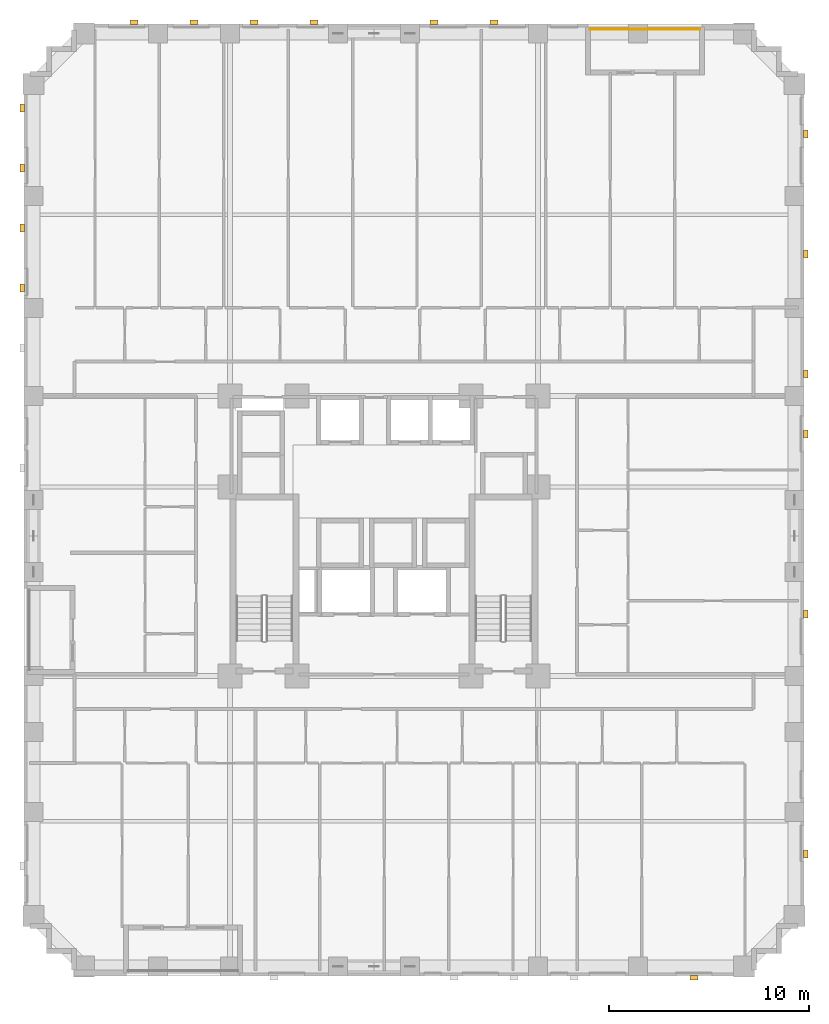
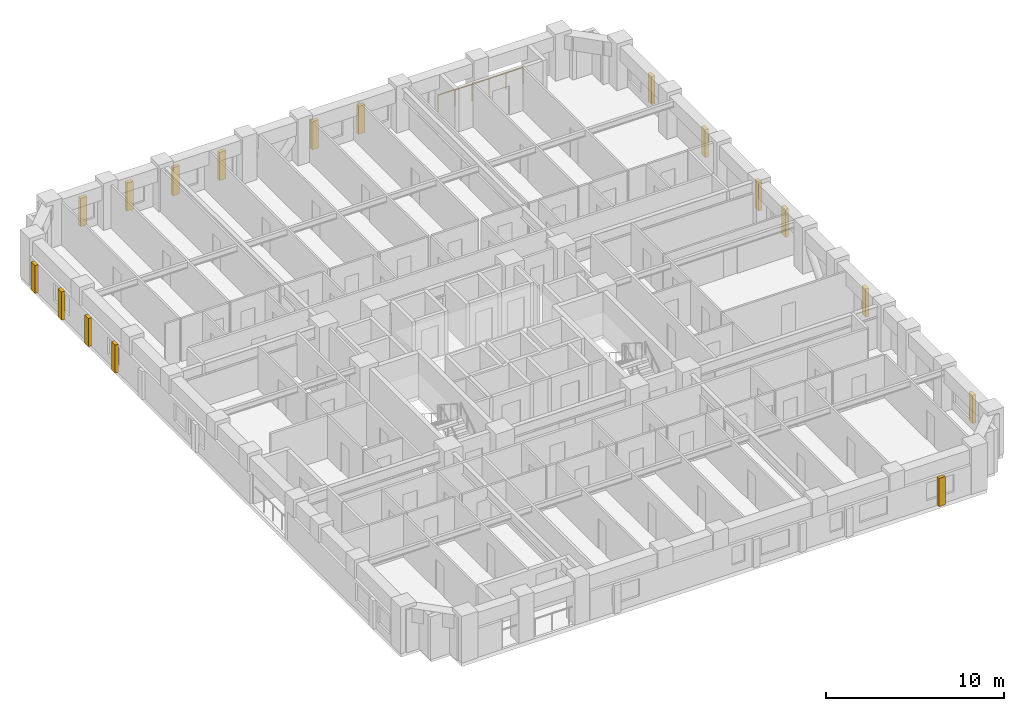
# One storey, part 14 of 14: 17 coverings, 1 railing.
"""IFC4 building model written with IfcOpenShell, lengths in metres."""

import ifcopenshell
import ifcopenshell.guid

model = None  # the IFC model being written
_history = None  # IfcOwnerHistory: only IFC2X3 demands one
_inside = {}  # id of a spatial element -> (the spatial element, [elements in it])
_under = {}  # id of a project, library or spatial element -> (it, [spatial elements below it])
_declared = {}  # id of a project -> (the project, [libraries it declares])
_typed = {}  # id of a type object -> (the type object, [elements of that type])
_made_of = {}  # id of a material, layer set ... -> (it, [elements and type objects made of it])


def new_model(schema):
    """Start an empty IFC model of exactly this schema.

    Asked for "IFC4X3", IfcOpenShell would pick the latest addendum, in which some entities
    have other attributes; the version numbers below select the first issue.
    IFC2X3 requires an IfcOwnerHistory on every rooted entity: one is made here for all.
    """
    global model, _history
    if schema == "IFC4X3":
        model = ifcopenshell.file(schema_version=(4, 3, 0, 0))
    else:
        model = ifcopenshell.file(schema=schema)
    _inside.clear()
    _under.clear()
    _declared.clear()
    _typed.clear()
    _made_of.clear()
    _history = None
    if model.schema == "IFC2X3":
        org = make("IfcOrganization", Name="unknown")
        user = make(
            "IfcPersonAndOrganization",
            ThePerson=make("IfcPerson", FamilyName="unknown"),
            TheOrganization=org,
        )
        app = make(
            "IfcApplication",
            ApplicationDeveloper=org,
            Version="unknown",
            ApplicationFullName="unknown",
            ApplicationIdentifier="unknown",
        )
        _history = make(
            "IfcOwnerHistory",
            OwningUser=user,
            OwningApplication=app,
            ChangeAction="ADDED",
            CreationDate=0,
        )
    return model


def make(cls, **values):
    """One entity of the class cls with the attributes given. An attribute that is None is left unset."""
    return model.create_entity(
        cls, **{name: value for name, value in values.items() if value is not None}
    )


def rooted(cls, **values):
    """An entity with a GlobalId (a new one), such as an element, a storey or a relation."""
    return make(cls, GlobalId=ifcopenshell.guid.new(), OwnerHistory=_history, **values)


def si_unit(unit_type, name, prefix=None):
    """IfcSIUnit, for example si_unit("LENGTHUNIT", "METRE", prefix="MILLI")."""
    return make("IfcSIUnit", UnitType=unit_type, Prefix=prefix, Name=name)


def derived_unit(unit_type, elements):
    """IfcDerivedUnit: a product of units, each with its exponent."""
    return make(
        "IfcDerivedUnit",
        Elements=[
            make("IfcDerivedUnitElement", Unit=unit, Exponent=power)
            for unit, power in elements
        ],
        UnitType=unit_type,
    )


def assignment(units):
    """IfcUnitAssignment: the units of a project."""
    return None if units is None else make("IfcUnitAssignment", Units=units)


def point(xyz):
    """IfcCartesianPoint."""
    return None if xyz is None else make("IfcCartesianPoint", Coordinates=xyz)


def direction(xyz):
    """IfcDirection."""
    return None if xyz is None else make("IfcDirection", DirectionRatios=xyz)


def frame(location, z_axis=None, x_axis=None):
    """IfcAxis2Placement3D, a coordinate frame: its origin and axes. An axis left out is left unset."""
    return make(
        "IfcAxis2Placement3D",
        Location=point(location),
        Axis=direction(z_axis),
        RefDirection=direction(x_axis),
    )


def frame_2d(location, x_axis=None):
    """IfcAxis2Placement2D, a coordinate frame in the plane: its origin and x axis."""
    return make(
        "IfcAxis2Placement2D", Location=point(location), RefDirection=direction(x_axis)
    )


def origin():
    """The frame at (0, 0, 0) with its axes left unset."""
    return frame((0.0, 0.0, 0.0))


def origin_2d():
    """The frame at (0, 0) in the plane with its x axis left unset."""
    return frame_2d((0.0, 0.0))


def place(relative_to, where):
    """IfcLocalPlacement: puts the frame where relative to a parent placement (None: the world)."""
    return make(
        "IfcLocalPlacement", PlacementRelTo=relative_to, RelativePlacement=where
    )


def context(
    kind, dimensions, precision=None, world=None, true_north=None, identifier=None
):
    """IfcGeometricRepresentationContext, for example the 3D "Model" context."""
    return make(
        "IfcGeometricRepresentationContext",
        ContextIdentifier=identifier,
        ContextType=kind,
        CoordinateSpaceDimension=dimensions,
        Precision=precision,
        WorldCoordinateSystem=world,
        TrueNorth=true_north,
    )


def subcontext(parent, identifier, kind, view, scale=None):
    """IfcGeometricRepresentationSubContext, for example "Body" below "Model"."""
    return make(
        "IfcGeometricRepresentationSubContext",
        ContextIdentifier=identifier,
        ContextType=kind,
        ParentContext=parent,
        TargetScale=scale,
        TargetView=view,
    )


def project(units=None, contexts=None):
    """IfcProject with its units and contexts."""
    return rooted(
        "IfcProject",
        Name="project",
        RepresentationContexts=contexts,
        UnitsInContext=assignment(units),
    )


def spatial(cls, under=None, at=None, **own):
    """A site, building, storey or space (cls), placed at a placement, below another one or the project."""
    s = rooted(cls, ObjectPlacement=at, **own)
    if under is not None:
        _under.setdefault(under.id(), (under, []))[1].append(s)
    return s


def profile(cls, at=None, kind="AREA", **sizes):
    """A parametric profile (cls). Its sizes go by their IFC names, for example OverallWidth=200.0."""
    return make(cls, ProfileType=kind, Position=at, **sizes)


def rectangle(**sizes):
    """IfcRectangleProfileDef."""
    return profile("IfcRectangleProfileDef", **sizes)


def circle(**sizes):
    """IfcCircleProfileDef."""
    return profile("IfcCircleProfileDef", **sizes)


def extrude(swept, where, along, depth):
    """IfcExtrudedAreaSolid: the profile swept, set in the frame where, extruded along a direction by depth."""
    return make(
        "IfcExtrudedAreaSolid",
        SweptArea=swept,
        Position=where,
        ExtrudedDirection=direction(along),
        Depth=depth,
    )


def shape(context_of_items, identifier, shape_type, items):
    """IfcShapeRepresentation: the items that make up one representation, for example the "Body"."""
    return make(
        "IfcShapeRepresentation",
        ContextOfItems=context_of_items,
        RepresentationIdentifier=identifier,
        RepresentationType=shape_type,
        Items=items,
    )


def material(Name=None, Category=None):
    """IfcMaterial."""
    return make("IfcMaterial", Name=Name, Category=Category)


def layer(
    of_material, thickness, ventilated=None, Name=None, Category=None, Priority=None
):
    """IfcMaterialLayer: one layer of a wall or slab, of a material (None: an air gap)."""
    return make(
        "IfcMaterialLayer",
        Material=of_material,
        LayerThickness=thickness,
        IsVentilated=ventilated,
        Name=Name,
        Category=Category,
        Priority=Priority,
    )


def layer_set(layers, Name=None):
    """IfcMaterialLayerSet."""
    return make("IfcMaterialLayerSet", MaterialLayers=layers, LayerSetName=Name)


def made_of(thing, what):
    """Note that an element or type object is made of a material, layer set ...; save() writes the relation."""
    if what is not None:
        _made_of.setdefault(what.id(), (what, []))[1].append(thing)
    return thing


def type_object(cls, material=None, **own):
    """A type object (cls), such as IfcWallType, which elements share."""
    return made_of(rooted(cls, **own), material)


def element(
    cls,
    number,
    at=None,
    inside=None,
    cuts=None,
    type_object=None,
    material=None,
    context=None,
    identifier="Body",
    shape_type=None,
    held_by="IfcProductDefinitionShape",
    body=None,
    shapes=None,
    **own,
):
    """One element of the class cls, such as IfcWall. Its Tag is "e" and its number.

    at: its placement. inside: the storey or other place that contains it. cuts: it is an
    opening in that element (IfcRelVoidsElement). A single representation is given by context,
    identifier, shape_type and body (its items); several are given by shapes. held_by: the class
    of the entity that holds the representations. save() writes the other relations.
    """
    e = rooted(cls, Tag="e%d" % number, ObjectPlacement=at, **own)
    if body is not None:
        shapes = [shape(context, identifier, shape_type, body)]
    if shapes is not None:
        e.Representation = make(held_by, Representations=shapes)
    if inside is not None:
        _inside.setdefault(inside.id(), (inside, []))[1].append(e)
    if cuts is not None:
        rooted(
            "IfcRelVoidsElement", RelatingBuildingElement=cuts, RelatedOpeningElement=e
        )
    if type_object is not None:
        _typed.setdefault(type_object.id(), (type_object, []))[1].append(e)
    return made_of(e, material)


def aggregate(whole, parts):
    """IfcRelAggregates: a whole, such as a stair, and the parts it consists of."""
    return rooted("IfcRelAggregates", RelatingObject=whole, RelatedObjects=parts)


def save(model, path):
    """Write the relations noted so far, then the file.

    IfcRelAggregates (storeys below a building ...), IfcRelContainedInSpatialStructure (elements
    in a storey), IfcRelDefinesByType, IfcRelAssociatesMaterial and IfcRelDeclares: one each for
    every whole, place, type object, material and project.
    """
    for whole, parts in _under.values():
        aggregate(whole, parts)
    for where, things in _inside.values():
        rooted(
            "IfcRelContainedInSpatialStructure",
            RelatedElements=things,
            RelatingStructure=where,
        )
    for kind, things in _typed.values():
        rooted("IfcRelDefinesByType", RelatedObjects=things, RelatingType=kind)
    for what, things in _made_of.values():
        rooted("IfcRelAssociatesMaterial", RelatedObjects=things, RelatingMaterial=what)
    for by, libraries in _declared.values():
        rooted("IfcRelDeclares", RelatingContext=by, RelatedDefinitions=libraries)
    model.write(path)


model = new_model("IFC4")

# Units and contexts
model_context = context("Model", 3, precision=1e-05, world=origin(), true_north=direction((0.0, 1.0)))
body_context = subcontext(model_context, "Body", "Model", "MODEL_VIEW")
ifc_project = project(units=[si_unit("LENGTHUNIT", "METRE"), si_unit("AREAUNIT", "SQUARE_METRE"), si_unit("VOLUMEUNIT", "CUBIC_METRE"), si_unit("PLANEANGLEUNIT", "RADIAN"), si_unit("MASSUNIT", "GRAM", prefix="KILO"), derived_unit("THERMALTRANSMITTANCEUNIT", [(si_unit("MASSUNIT", "GRAM", prefix="KILO"), 1), (si_unit("TIMEUNIT", "SECOND"), -3), (si_unit("THERMODYNAMICTEMPERATUREUNIT", "KELVIN"), -1)])], contexts=[model_context])

# Site, building, storey
site_placement = place(None, origin())
site = spatial("IfcSite", under=ifc_project, at=site_placement, CompositionType="ELEMENT")
building_placement = place(site_placement, origin())
building = spatial("IfcBuilding", under=site, at=building_placement, Name="Korrvale Station Residences", CompositionType="ELEMENT")
storey_placement = place(building_placement, frame((0.0, 0.0, 45.0)))
storey = spatial("IfcBuildingStorey", under=building, at=storey_placement, Name="L11", CompositionType="ELEMENT", Elevation=45.0)

# Coverings
ifc_material_1 = material(Name="Architectural precast concrete C45/55", Category="concrete")
ifc_layer = layer(ifc_material_1, 0.219970703125, Name="Architectural precast concrete C45/55")
ifc_layer_set = layer_set([ifc_layer], Name="Architectural precast concrete C45/55")
covering_type = type_object("IfcCoveringType", Name="COV-PIER-400", PredefinedType="CLADDING", material=ifc_layer_set)
for number, where, z_axis, x_axis, name in (
    (1, (41.0, -0.090087890625, 0.02490234375), (0.0, 0.0, 1.0), (1.0, 0.0, 0.0), "L11 Architectural Precast Facade Pier 01"),
    (2, (13.0, 47.68994140625, 0.02490234375), (0.0, 0.0, 1.0), (1.0, 0.0, 0.0), "L11 Architectural Precast Facade Pier 06"),
    (3, (16.0, 47.68994140625, 0.02490234375), (0.0, 0.0, 1.0), (1.0, 0.0, 0.0), "L11 Architectural Precast Facade Pier 07"),
    (4, (19.0, 47.68994140625, 0.02490234375), (0.0, 0.0, 1.0), (1.0, 0.0, 0.0), "L11 Architectural Precast Facade Pier 08"),
    (5, (22.0, 47.68994140625, 0.02490234375), (0.0, 0.0, 1.0), (1.0, 0.0, 0.0), "L11 Architectural Precast Facade Pier 09"),
    (6, (28.0, 47.68994140625, 0.02490234375), (0.0, 0.0, 1.0), (1.0, 0.0, 0.0), "L11 Architectural Precast Facade Pier 10"),
    (7, (31.0, 47.68994140625, 0.02490234375), (0.0, 0.0, 1.0), (1.0, 0.0, 0.0), "L11 Architectural Precast Facade Pier 11"),
    (8, (7.409912109375, 34.39990234375, 0.02490234375), (0.0, 0.0, 1.0), (0.0, 1.0, 0.0), "L11 Architectural Precast Facade Pier 15"),
    (9, (7.409912109375, 37.39990234375, 0.02490234375), (0.0, 0.0, 1.0), (0.0, 1.0, 0.0), "L11 Architectural Precast Facade Pier 16"),
    (10, (7.409912109375, 40.39990234375, 0.02490234375), (0.0, 0.0, 1.0), (0.0, 1.0, 0.0), "L11 Architectural Precast Facade Pier 17"),
    (11, (7.409912109375, 43.39990234375, 0.02490234375), (0.0, 0.0, 1.0), (0.0, 1.0, 0.0), "L11 Architectural Precast Facade Pier 18"),
    (12, (46.590087890625, 42.10009765625, 0.02490234375), (0.0, 0.0, 1.0), (0.0, 1.0, 0.0), "L11 Architectural Precast Facade Pier 19"),
    (13, (46.590087890625, 36.10009765625, 0.02490234375), (0.0, 0.0, 1.0), (0.0, 1.0, 0.0), "L11 Architectural Precast Facade Pier 20"),
    (14, (46.590087890625, 30.10009765625, 0.02490234375), (0.0, 0.0, 1.0), (0.0, 1.0, 0.0), "L11 Architectural Precast Facade Pier 21"),
    (15, (46.590087890625, 27.10009765625, 0.02490234375), (0.0, 0.0, 1.0), (0.0, 1.0, 0.0), "L11 Architectural Precast Facade Pier 22"),
    (16, (46.590087890625, 18.10009765625, 0.02490234375), (0.0, 0.0, 1.0), (0.0, 1.0, 0.0), "L11 Architectural Precast Facade Pier 23"),
    (17, (46.590087890625, 6.10009765625, 0.02490234375), (0.0, 0.0, 1.0), (0.0, 1.0, 0.0), "L11 Architectural Precast Facade Pier 24"),
):
    element("IfcCovering", number, at=place(storey_placement, frame(where, z_axis=z_axis, x_axis=x_axis)), inside=storey, type_object=covering_type, Name=name, PredefinedType="CLADDING", context=body_context, shape_type="SweptSolid", body=[
        extrude(rectangle(XDim=0.419921875, YDim=0.219970703125, at=origin_2d()), origin(), (0.0, 0.0, 1.0), 1.925048828125),
    ])

# Railing
ifc_material_2 = material(Name="Powder-coated aluminium picket loggia guard", Category="aluminium")
railing_type = type_object("IfcRailingType", Name="RLG-BAL-1150", PredefinedType="GUARDRAIL", material=ifc_material_2)
railing_placement = place(storey_placement, frame((35.800048828125, 47.330078125, 0.0)))
element("IfcRailing", 18, at=railing_placement, inside=storey, type_object=railing_type, Name="L11 Recessed Loggia Guardrail BAL-L11-N1", PredefinedType="GUARDRAIL", context=body_context, shape_type="SweptSolid", body=[
    extrude(circle(Radius=0.02392578125, at=origin_2d()), frame((0.0, 0.0, 1.1259765625), z_axis=(1.0, 0.0, 0.0), x_axis=(0.0, 1.0, 0.0)), (0.0, 0.0, 1.0), 5.5),
    extrude(circle(Radius=0.02099609375, at=origin_2d()), origin(), (0.0, 0.0, 1.0), 1.101806640625),
    extrude(circle(Radius=0.02099609375, at=origin_2d()), frame((1.10009765625, 0.0, 0.0)), (0.0, 0.0, 1.0), 1.101806640625),
    extrude(circle(Radius=0.02099609375, at=origin_2d()), frame((2.199951171875, 0.0, 0.0)), (0.0, 0.0, 1.0), 1.101806640625),
    extrude(circle(Radius=0.02099609375, at=origin_2d()), frame((3.300048828125, 0.0, 0.0)), (0.0, 0.0, 1.0), 1.101806640625),
    extrude(circle(Radius=0.02099609375, at=origin_2d()), frame((4.39990234375, 0.0, 0.0)), (0.0, 0.0, 1.0), 1.101806640625),
    extrude(circle(Radius=0.02099609375, at=origin_2d()), frame((5.5, 0.0, 0.0)), (0.0, 0.0, 1.0), 1.101806640625),
])

save(model, "model.ifc")
